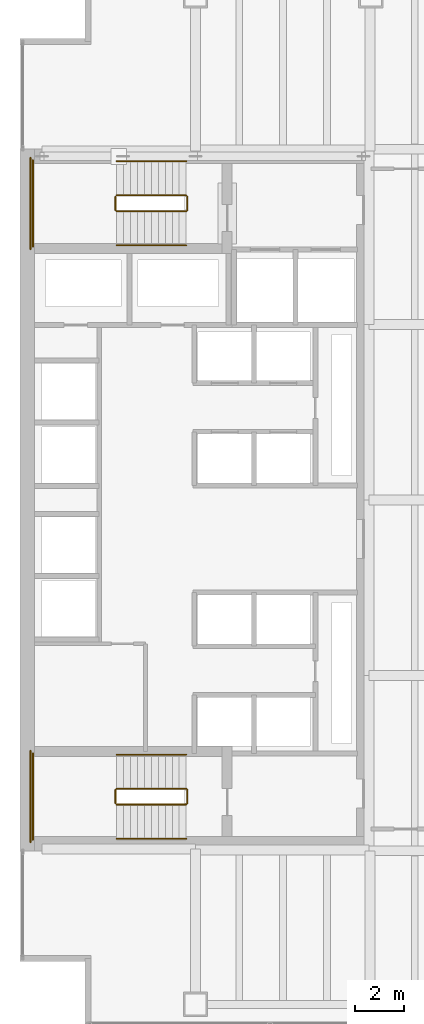
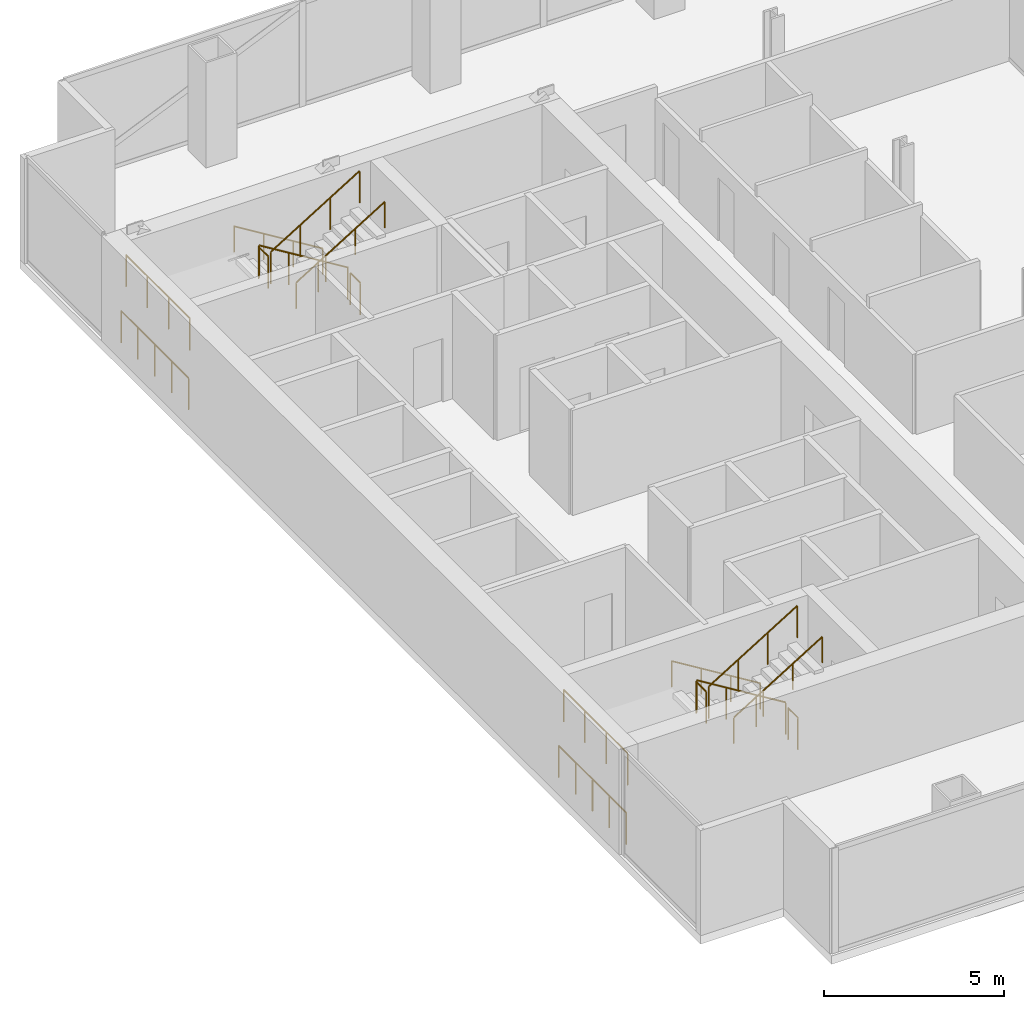
# One storey, part 23 of 23: 16 railings.
"""IFC4 building model written with IfcOpenShell, lengths in metres."""

from ifc_helpers import new_model, si_unit, direction, frame, origin, origin_2d, place, context, subcontext, project, spatial, circle, extrude, material, type_object, element, save


model = new_model("IFC4")

# Units and contexts
model_context = context("Model", 3, precision=1e-05, world=origin(), true_north=direction((0.0, 1.0)))
body_context = subcontext(model_context, "Body", "Model", "MODEL_VIEW")
ifc_project = project(units=[si_unit("LENGTHUNIT", "METRE"), si_unit("AREAUNIT", "SQUARE_METRE"), si_unit("VOLUMEUNIT", "CUBIC_METRE"), si_unit("PLANEANGLEUNIT", "RADIAN"), si_unit("MASSUNIT", "GRAM", prefix="KILO")], contexts=[model_context])

# Site, building, storey
site_placement = place(None, origin())
site = spatial("IfcSite", under=ifc_project, at=site_placement, CompositionType="ELEMENT")
building_placement = place(site_placement, origin())
building = spatial("IfcBuilding", under=site, at=building_placement, Name="Cobrela Telecom Tower", CompositionType="ELEMENT")
storey_placement = place(building_placement, frame((0.0, 0.0, 54.25)))
storey = spatial("IfcBuildingStorey", under=building, at=storey_placement, Name="L13", CompositionType="ELEMENT", Elevation=54.25)

# Railings
ifc_material = material(Name="Steel ASTM A36", Category="steel")
railing_type_1 = type_object("IfcRailingType", Name="RAIL-GUARD-1100", PredefinedType="GUARDRAIL", material=ifc_material)
railing_1_placement = place(storey_placement, frame((6.820068359375, 34.10009765625, 0.175048828125)))
element("IfcRailing", 1, at=railing_1_placement, inside=storey, type_object=railing_type_1, Name="L13 ST1 stair guard 1", PredefinedType="GUARDRAIL", context=body_context, shape_type="SweptSolid", body=[
    extrude(circle(Radius=0.02392578125, at=origin_2d()), frame((0.0, 0.0, 1.076171875), z_axis=(-0.852179220489, 0.0, 0.52325001306), x_axis=(0.0, -1.0, 0.0)), (0.0, 0.0, 1.0), 3.344482421875),
    extrude(circle(Radius=0.02099609375, at=origin_2d()), origin(), (0.0, 0.0, 1.0), 1.052001953125),
    extrude(circle(Radius=0.02099609375, at=origin_2d()), frame((-0.949951171875, 0.0, 0.583251953125)), (0.0, 0.0, 1.0), 1.052001953125),
    extrude(circle(Radius=0.02099609375, at=origin_2d()), frame((-1.900146484375, 0.0, 1.166748046875)), (0.0, 0.0, 1.0), 1.052001953125),
    extrude(circle(Radius=0.02099609375, at=origin_2d()), frame((-2.85009765625, 0.0, 1.75)), (0.0, 0.0, 1.0), 1.052001953125),
])
railing_2_placement = place(storey_placement, frame((3.919921875, 34.050048828125, 1.925048828125)))
element("IfcRailing", 2, at=railing_2_placement, inside=storey, type_object=railing_type_1, Name="L13 ST1 stair guard 2", PredefinedType="GUARDRAIL", context=body_context, shape_type="SweptSolid", body=[
    extrude(circle(Radius=0.02392578125, at=origin_2d()), frame((0.0, 0.0, 1.076171875), z_axis=(0.0, -1.0, 0.0), x_axis=(1.0, 0.0, 0.0)), (0.0, 0.0, 1.0), 0.550048828125),
    extrude(circle(Radius=0.02099609375, at=origin_2d()), origin(), (0.0, 0.0, 1.0), 1.052001953125),
    extrude(circle(Radius=0.02099609375, at=origin_2d()), frame((0.0, -0.550048828125, 0.0)), (0.0, 0.0, 1.0), 1.052001953125),
])
railing_3_placement = place(storey_placement, frame((0.530029296875, 35.550048828125, 1.925048828125)))
element("IfcRailing", 3, at=railing_3_placement, inside=storey, type_object=railing_type_1, Name="L13 ST1 stair guard 3", PredefinedType="GUARDRAIL", context=body_context, shape_type="SweptSolid", body=[
    extrude(circle(Radius=0.02392578125, at=origin_2d()), frame((0.0, 0.0, 1.076171875), z_axis=(0.0, -1.0, 0.0), x_axis=(1.0, 0.0, 0.0)), (0.0, 0.0, 1.0), 3.550048828125),
    extrude(circle(Radius=0.02099609375, at=origin_2d()), origin(), (0.0, 0.0, 1.0), 1.052001953125),
    extrude(circle(Radius=0.02099609375, at=origin_2d()), frame((0.0, -1.183349609375, 0.0)), (0.0, 0.0, 1.0), 1.052001953125),
    extrude(circle(Radius=0.02099609375, at=origin_2d()), frame((0.0, -2.36669921875, 0.0)), (0.0, 0.0, 1.0), 1.052001953125),
    extrude(circle(Radius=0.02099609375, at=origin_2d()), frame((0.0, -3.550048828125, 0.0)), (0.0, 0.0, 1.0), 1.052001953125),
])
railing_4_placement = place(storey_placement, frame((3.969970703125, 33.449951171875, 2.10009765625)))
element("IfcRailing", 4, at=railing_4_placement, inside=storey, type_object=railing_type_1, Name="L13 ST1 stair guard 4", PredefinedType="GUARDRAIL", context=body_context, shape_type="SweptSolid", body=[
    extrude(circle(Radius=0.02392578125, at=origin_2d()), frame((0.0, 0.0, 1.076171875), z_axis=(0.852179220489, 0.0, 0.52325001306), x_axis=(0.0, 1.0, 0.0)), (0.0, 0.0, 1.0), 3.344482421875),
    extrude(circle(Radius=0.02099609375, at=origin_2d()), origin(), (0.0, 0.0, 1.0), 1.052001953125),
    extrude(circle(Radius=0.02099609375, at=origin_2d()), frame((0.949951171875, 0.0, 0.583251953125)), (0.0, 0.0, 1.0), 1.052001953125),
    extrude(circle(Radius=0.02099609375, at=origin_2d()), frame((1.900146484375, 0.0, 1.166748046875)), (0.0, 0.0, 1.0), 1.052001953125),
    extrude(circle(Radius=0.02099609375, at=origin_2d()), frame((2.85009765625, 0.0, 1.75)), (0.0, 0.0, 1.0), 1.052001953125),
])
railing_5_placement = place(storey_placement, frame((6.8701171875, 34.050048828125, 0.0)))
element("IfcRailing", 5, at=railing_5_placement, inside=storey, type_object=railing_type_1, Name="L13 ST1 stair guard 5", PredefinedType="GUARDRAIL", context=body_context, shape_type="SweptSolid", body=[
    extrude(circle(Radius=0.02392578125, at=origin_2d()), frame((0.0, 0.0, 1.076171875), z_axis=(0.0, -1.0, 0.0), x_axis=(1.0, 0.0, 0.0)), (0.0, 0.0, 1.0), 0.550048828125),
    extrude(circle(Radius=0.02099609375, at=origin_2d()), origin(), (0.0, 0.0, 1.0), 1.052001953125),
    extrude(circle(Radius=0.02099609375, at=origin_2d()), frame((0.0, -0.550048828125, 0.0)), (0.0, 0.0, 1.0), 1.052001953125),
])
railing_6_placement = place(storey_placement, frame((0.429931640625, 35.64990234375, 0.0)))
element("IfcRailing", 6, at=railing_6_placement, inside=storey, type_object=railing_type_1, Name="L13 ST1 stair guard 6", PredefinedType="GUARDRAIL", context=body_context, shape_type="SweptSolid", body=[
    extrude(circle(Radius=0.02392578125, at=origin_2d()), frame((0.0, 0.0, 1.076171875), z_axis=(0.0, -1.0, 0.0), x_axis=(1.0, 0.0, 0.0)), (0.0, 0.0, 1.0), 3.75),
    extrude(circle(Radius=0.02099609375, at=origin_2d()), origin(), (0.0, 0.0, 1.0), 1.052001953125),
    extrude(circle(Radius=0.02099609375, at=origin_2d()), frame((0.0, -0.9375, 0.0)), (0.0, 0.0, 1.0), 1.052001953125),
    extrude(circle(Radius=0.02099609375, at=origin_2d()), frame((0.0, -1.875, 0.0)), (0.0, 0.0, 1.0), 1.052001953125),
    extrude(circle(Radius=0.02099609375, at=origin_2d()), frame((0.0, -2.8125, 0.0)), (0.0, 0.0, 1.0), 1.052001953125),
    extrude(circle(Radius=0.02099609375, at=origin_2d()), frame((0.0, -3.75, 0.0)), (0.0, 0.0, 1.0), 1.052001953125),
])
railing_7_placement = place(storey_placement, frame((6.820068359375, 9.75, 0.175048828125)))
element("IfcRailing", 7, at=railing_7_placement, inside=storey, type_object=railing_type_1, Name="L13 ST2 stair guard 1", PredefinedType="GUARDRAIL", context=body_context, shape_type="SweptSolid", body=[
    extrude(circle(Radius=0.02392578125, at=origin_2d()), frame((0.0, 0.0, 1.076171875), z_axis=(-0.852179220489, 0.0, 0.52325001306), x_axis=(0.0, -1.0, 0.0)), (0.0, 0.0, 1.0), 3.344482421875),
    extrude(circle(Radius=0.02099609375, at=origin_2d()), origin(), (0.0, 0.0, 1.0), 1.052001953125),
    extrude(circle(Radius=0.02099609375, at=origin_2d()), frame((-0.949951171875, 0.0, 0.583251953125)), (0.0, 0.0, 1.0), 1.052001953125),
    extrude(circle(Radius=0.02099609375, at=origin_2d()), frame((-1.900146484375, 0.0, 1.166748046875)), (0.0, 0.0, 1.0), 1.052001953125),
    extrude(circle(Radius=0.02099609375, at=origin_2d()), frame((-2.85009765625, 0.0, 1.75)), (0.0, 0.0, 1.0), 1.052001953125),
])
railing_8_placement = place(storey_placement, frame((3.919921875, 9.699951171875, 1.925048828125)))
element("IfcRailing", 8, at=railing_8_placement, inside=storey, type_object=railing_type_1, Name="L13 ST2 stair guard 2", PredefinedType="GUARDRAIL", context=body_context, shape_type="SweptSolid", body=[
    extrude(circle(Radius=0.02392578125, at=origin_2d()), frame((0.0, 0.0, 1.076171875), z_axis=(0.0, -1.0, 0.0), x_axis=(1.0, 0.0, 0.0)), (0.0, 0.0, 1.0), 0.550048828125),
    extrude(circle(Radius=0.02099609375, at=origin_2d()), origin(), (0.0, 0.0, 1.0), 1.052001953125),
    extrude(circle(Radius=0.02099609375, at=origin_2d()), frame((0.0, -0.550048828125, 0.0)), (0.0, 0.0, 1.0), 1.052001953125),
])
railing_9_placement = place(storey_placement, frame((0.530029296875, 11.199951171875, 1.925048828125)))
element("IfcRailing", 9, at=railing_9_placement, inside=storey, type_object=railing_type_1, Name="L13 ST2 stair guard 3", PredefinedType="GUARDRAIL", context=body_context, shape_type="SweptSolid", body=[
    extrude(circle(Radius=0.02392578125, at=origin_2d()), frame((0.0, 0.0, 1.076171875), z_axis=(0.0, -1.0, 0.0), x_axis=(1.0, 0.0, 0.0)), (0.0, 0.0, 1.0), 3.550048828125),
    extrude(circle(Radius=0.02099609375, at=origin_2d()), origin(), (0.0, 0.0, 1.0), 1.052001953125),
    extrude(circle(Radius=0.02099609375, at=origin_2d()), frame((0.0, -1.183349609375, 0.0)), (0.0, 0.0, 1.0), 1.052001953125),
    extrude(circle(Radius=0.02099609375, at=origin_2d()), frame((0.0, -2.36669921875, 0.0)), (0.0, 0.0, 1.0), 1.052001953125),
    extrude(circle(Radius=0.02099609375, at=origin_2d()), frame((0.0, -3.550048828125, 0.0)), (0.0, 0.0, 1.0), 1.052001953125),
])
railing_10_placement = place(storey_placement, frame((3.969970703125, 9.10009765625, 2.10009765625)))
element("IfcRailing", 10, at=railing_10_placement, inside=storey, type_object=railing_type_1, Name="L13 ST2 stair guard 4", PredefinedType="GUARDRAIL", context=body_context, shape_type="SweptSolid", body=[
    extrude(circle(Radius=0.02392578125, at=origin_2d()), frame((0.0, 0.0, 1.076171875), z_axis=(0.852179220489, 0.0, 0.52325001306), x_axis=(0.0, 1.0, 0.0)), (0.0, 0.0, 1.0), 3.344482421875),
    extrude(circle(Radius=0.02099609375, at=origin_2d()), origin(), (0.0, 0.0, 1.0), 1.052001953125),
    extrude(circle(Radius=0.02099609375, at=origin_2d()), frame((0.949951171875, 0.0, 0.583251953125)), (0.0, 0.0, 1.0), 1.052001953125),
    extrude(circle(Radius=0.02099609375, at=origin_2d()), frame((1.900146484375, 0.0, 1.166748046875)), (0.0, 0.0, 1.0), 1.052001953125),
    extrude(circle(Radius=0.02099609375, at=origin_2d()), frame((2.85009765625, 0.0, 1.75)), (0.0, 0.0, 1.0), 1.052001953125),
])
railing_11_placement = place(storey_placement, frame((6.8701171875, 9.699951171875, 0.0)))
element("IfcRailing", 11, at=railing_11_placement, inside=storey, type_object=railing_type_1, Name="L13 ST2 stair guard 5", PredefinedType="GUARDRAIL", context=body_context, shape_type="SweptSolid", body=[
    extrude(circle(Radius=0.02392578125, at=origin_2d()), frame((0.0, 0.0, 1.076171875), z_axis=(0.0, -1.0, 0.0), x_axis=(1.0, 0.0, 0.0)), (0.0, 0.0, 1.0), 0.550048828125),
    extrude(circle(Radius=0.02099609375, at=origin_2d()), origin(), (0.0, 0.0, 1.0), 1.052001953125),
    extrude(circle(Radius=0.02099609375, at=origin_2d()), frame((0.0, -0.550048828125, 0.0)), (0.0, 0.0, 1.0), 1.052001953125),
])
railing_12_placement = place(storey_placement, frame((0.429931640625, 11.300048828125, 0.0)))
element("IfcRailing", 12, at=railing_12_placement, inside=storey, type_object=railing_type_1, Name="L13 ST2 stair guard 6", PredefinedType="GUARDRAIL", context=body_context, shape_type="SweptSolid", body=[
    extrude(circle(Radius=0.02392578125, at=origin_2d()), frame((0.0, 0.0, 1.076171875), z_axis=(0.0, -1.0, 0.0), x_axis=(1.0, 0.0, 0.0)), (0.0, 0.0, 1.0), 3.75),
    extrude(circle(Radius=0.02099609375, at=origin_2d()), origin(), (0.0, 0.0, 1.0), 1.052001953125),
    extrude(circle(Radius=0.02099609375, at=origin_2d()), frame((0.0, -0.9375, 0.0)), (0.0, 0.0, 1.0), 1.052001953125),
    extrude(circle(Radius=0.02099609375, at=origin_2d()), frame((0.0, -1.875, 0.0)), (0.0, 0.0, 1.0), 1.052001953125),
    extrude(circle(Radius=0.02099609375, at=origin_2d()), frame((0.0, -2.8125, 0.0)), (0.0, 0.0, 1.0), 1.052001953125),
    extrude(circle(Radius=0.02099609375, at=origin_2d()), frame((0.0, -3.75, 0.0)), (0.0, 0.0, 1.0), 1.052001953125),
])
railing_type_2 = type_object("IfcRailingType", Name="RAIL-HAND-920", PredefinedType="HANDRAIL", material=ifc_material)
railing_13_placement = place(storey_placement, frame((6.820068359375, 35.5, 0.175048828125)))
element("IfcRailing", 13, at=railing_13_placement, inside=storey, type_object=railing_type_2, Name="L13 ST1 stair handrail 1", PredefinedType="HANDRAIL", context=body_context, shape_type="SweptSolid", body=[
    extrude(circle(Radius=0.02392578125, at=origin_2d()), frame((0.0, 0.0, 0.8759765625), z_axis=(-0.852179220489, 0.0, 0.52325001306), x_axis=(0.0, -1.0, 0.0)), (0.0, 0.0, 1.0), 3.344482421875),
    extrude(circle(Radius=0.02099609375, at=origin_2d()), origin(), (0.0, 0.0, 1.0), 0.851806640625),
    extrude(circle(Radius=0.02099609375, at=origin_2d()), frame((-0.949951171875, 0.0, 0.583251953125)), (0.0, 0.0, 1.0), 0.851806640625),
    extrude(circle(Radius=0.02099609375, at=origin_2d()), frame((-1.900146484375, 0.0, 1.166748046875)), (0.0, 0.0, 1.0), 0.851806640625),
    extrude(circle(Radius=0.02099609375, at=origin_2d()), frame((-2.85009765625, 0.0, 1.75)), (0.0, 0.0, 1.0), 0.851806640625),
])
railing_14_placement = place(storey_placement, frame((3.969970703125, 32.050048828125, 2.10009765625)))
element("IfcRailing", 14, at=railing_14_placement, inside=storey, type_object=railing_type_2, Name="L13 ST1 stair handrail 2", PredefinedType="HANDRAIL", context=body_context, shape_type="SweptSolid", body=[
    extrude(circle(Radius=0.02392578125, at=origin_2d()), frame((0.0, 0.0, 0.8759765625), z_axis=(0.852179220489, 0.0, 0.52325001306), x_axis=(0.0, 1.0, 0.0)), (0.0, 0.0, 1.0), 3.344482421875),
    extrude(circle(Radius=0.02099609375, at=origin_2d()), origin(), (0.0, 0.0, 1.0), 0.851806640625),
    extrude(circle(Radius=0.02099609375, at=origin_2d()), frame((0.949951171875, 0.0, 0.583251953125)), (0.0, 0.0, 1.0), 0.851806640625),
    extrude(circle(Radius=0.02099609375, at=origin_2d()), frame((1.900146484375, 0.0, 1.166748046875)), (0.0, 0.0, 1.0), 0.851806640625),
    extrude(circle(Radius=0.02099609375, at=origin_2d()), frame((2.85009765625, 0.0, 1.75)), (0.0, 0.0, 1.0), 0.851806640625),
])
railing_15_placement = place(storey_placement, frame((6.820068359375, 11.14990234375, 0.175048828125)))
element("IfcRailing", 15, at=railing_15_placement, inside=storey, type_object=railing_type_2, Name="L13 ST2 stair handrail 1", PredefinedType="HANDRAIL", context=body_context, shape_type="SweptSolid", body=[
    extrude(circle(Radius=0.02392578125, at=origin_2d()), frame((0.0, 0.0, 0.8759765625), z_axis=(-0.852179220489, 0.0, 0.52325001306), x_axis=(0.0, -1.0, 0.0)), (0.0, 0.0, 1.0), 3.344482421875),
    extrude(circle(Radius=0.02099609375, at=origin_2d()), origin(), (0.0, 0.0, 1.0), 0.851806640625),
    extrude(circle(Radius=0.02099609375, at=origin_2d()), frame((-0.949951171875, 0.0, 0.583251953125)), (0.0, 0.0, 1.0), 0.851806640625),
    extrude(circle(Radius=0.02099609375, at=origin_2d()), frame((-1.900146484375, 0.0, 1.166748046875)), (0.0, 0.0, 1.0), 0.851806640625),
    extrude(circle(Radius=0.02099609375, at=origin_2d()), frame((-2.85009765625, 0.0, 1.75)), (0.0, 0.0, 1.0), 0.851806640625),
])
railing_16_placement = place(storey_placement, frame((3.969970703125, 7.699951171875, 2.10009765625)))
element("IfcRailing", 16, at=railing_16_placement, inside=storey, type_object=railing_type_2, Name="L13 ST2 stair handrail 2", PredefinedType="HANDRAIL", context=body_context, shape_type="SweptSolid", body=[
    extrude(circle(Radius=0.02392578125, at=origin_2d()), frame((0.0, 0.0, 0.8759765625), z_axis=(0.852179220489, 0.0, 0.52325001306), x_axis=(0.0, 1.0, 0.0)), (0.0, 0.0, 1.0), 3.344482421875),
    extrude(circle(Radius=0.02099609375, at=origin_2d()), origin(), (0.0, 0.0, 1.0), 0.851806640625),
    extrude(circle(Radius=0.02099609375, at=origin_2d()), frame((0.949951171875, 0.0, 0.583251953125)), (0.0, 0.0, 1.0), 0.851806640625),
    extrude(circle(Radius=0.02099609375, at=origin_2d()), frame((1.900146484375, 0.0, 1.166748046875)), (0.0, 0.0, 1.0), 0.851806640625),
    extrude(circle(Radius=0.02099609375, at=origin_2d()), frame((2.85009765625, 0.0, 1.75)), (0.0, 0.0, 1.0), 0.851806640625),
])

save(model, "model.ifc")
